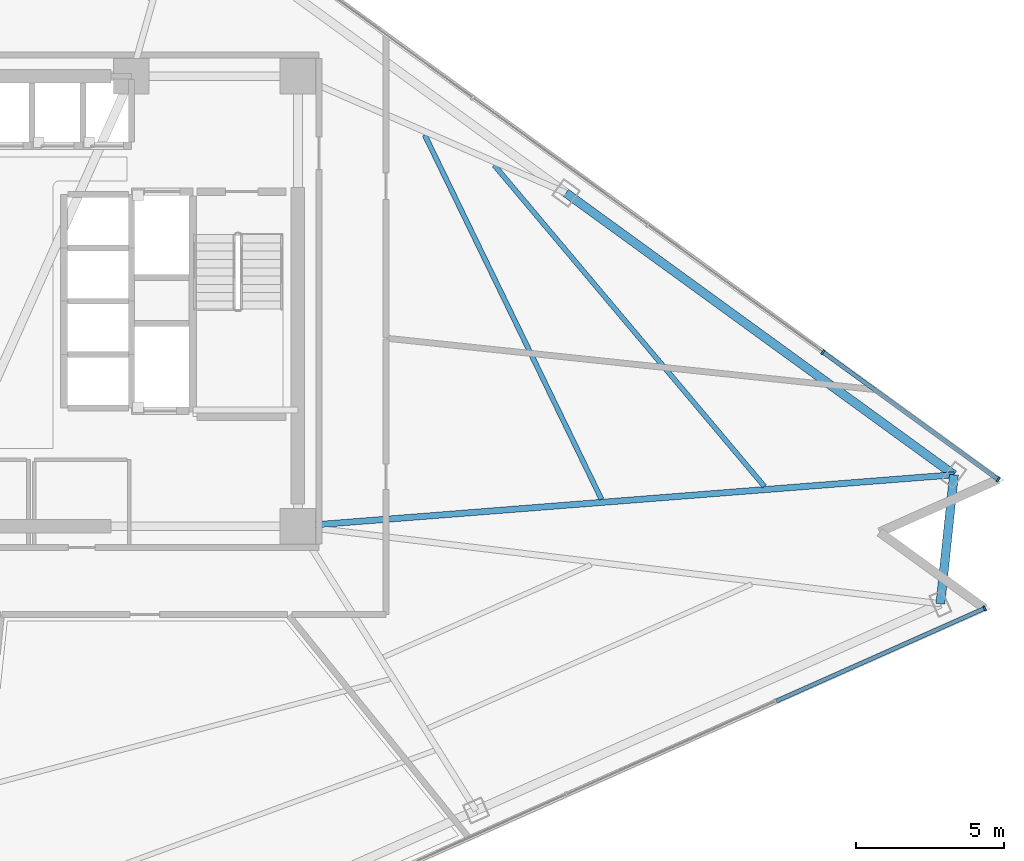
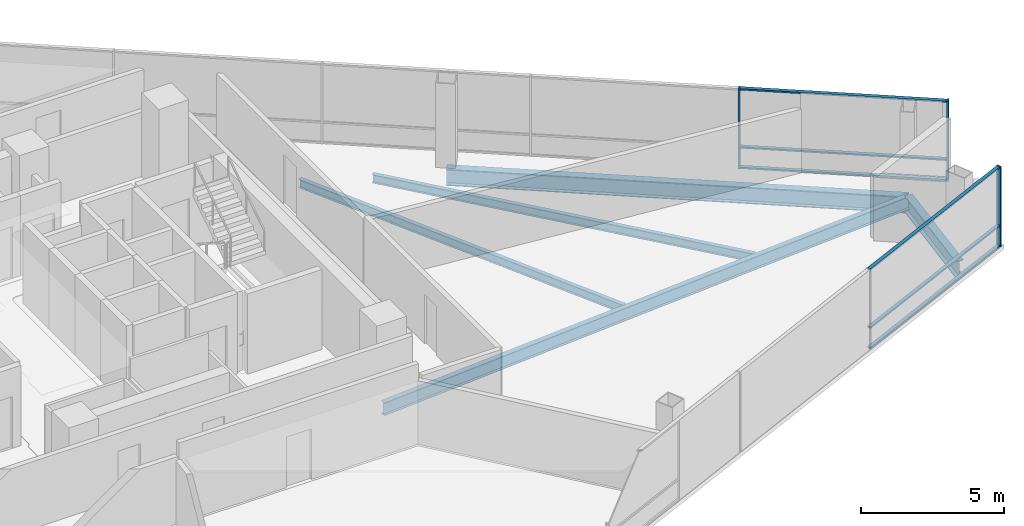
# One storey, part 6 of 17: 9 members, 5 beams, 2 elements without a shape of their own.
"""IFC4 building model written with IfcOpenShell, lengths in metres."""

from ifc_helpers import new_model, si_unit, direction, frame, origin, origin_2d, place, context, subcontext, project, spatial, rectangle, i_section, extrude, material, layer, layer_set, material_profile, profile_set, type_object, element, aggregate, save


model = new_model("IFC4")

# Units and contexts
model_context = context("Model", 3, precision=1e-05, world=origin(), true_north=direction((0.0, 1.0)))
body_context = subcontext(model_context, "Body", "Model", "MODEL_VIEW")
ifc_project = project(units=[si_unit("LENGTHUNIT", "METRE"), si_unit("AREAUNIT", "SQUARE_METRE"), si_unit("VOLUMEUNIT", "CUBIC_METRE"), si_unit("PLANEANGLEUNIT", "RADIAN"), si_unit("MASSUNIT", "GRAM", prefix="KILO")], contexts=[model_context])

# Site, building, storey
site_placement = place(None, origin())
site = spatial("IfcSite", under=ifc_project, at=site_placement, CompositionType="ELEMENT")
building_placement = place(site_placement, origin())
building = spatial("IfcBuilding", under=site, at=building_placement, Name="Tharavind Bronze Gate", CompositionType="ELEMENT")
storey_placement = place(building_placement, frame((0.0, 0.0, 119.64990234375)))
storey = spatial("IfcBuildingStorey", under=building, at=storey_placement, Name="L30", CompositionType="ELEMENT", Elevation=119.64990234375)

# Curtain wall, member
ifc_material_1 = material(Name="Anodised Bronze Aluminium", Category="aluminium")
ifc_layer = layer(ifc_material_1, 0.219970703125)
ifc_layer_set = layer_set([ifc_layer], Name="Anodised Bronze Aluminium")
curtain_wall_type = type_object("IfcCurtainWallType", Name="UNITISED CURTAIN WALL LOWER OFFICE", PredefinedType="USERDEFINED", material=ifc_layer_set)
curtain_wall_1_placement = place(storey_placement, origin())
curtain_wall_1 = element("IfcCurtainWall", 1, at=curtain_wall_1_placement, inside=storey, type_object=curtain_wall_type, Name="L30 unitised curtain wall lower office CW-L30-S2", ObjectType="UNITISED CURTAIN WALL", PredefinedType="USERDEFINED")
member_type_1 = type_object("IfcMemberType", Name="CURTAIN WALL BRONZE MULLION 65X180", PredefinedType="MULLION", material=ifc_material_1)
member_1_placement = place(storey_placement, frame((32.099853515625, -10.3759765625, 0.0), z_axis=(0.0, 0.0, 1.0), x_axis=(0.913545457643, 0.406736643076, 0.0)))
member_1 = element("IfcMember", 2, at=member_1_placement, type_object=member_type_1, Name="CW-L30-S2 mullion 8", PredefinedType="MULLION", context=body_context, shape_type="SweptSolid", body=[
    extrude(rectangle(XDim=0.06494140625, YDim=0.179931640625, at=origin_2d()), origin(), (0.0, 0.0, 1.0), 3.409912109375),
])

# Curtain wall, members
curtain_wall_2_placement = place(storey_placement, origin())
curtain_wall_2 = element("IfcCurtainWall", 3, at=curtain_wall_2_placement, inside=storey, type_object=curtain_wall_type, Name="L30 unitised curtain wall lower office CW-L30-S3", ObjectType="UNITISED CURTAIN WALL", PredefinedType="USERDEFINED")
member_2_placement = place(storey_placement, frame((32.5576171875, -6.02001953125, 0.0), z_axis=(0.0, 0.0, 1.0), x_axis=(-0.809016994375, 0.587785252292, 0.0)))
member_2 = element("IfcMember", 4, at=member_2_placement, type_object=member_type_1, Name="CW-L30-S3 mullion 1", PredefinedType="MULLION", context=body_context, shape_type="SweptSolid", body=[
    extrude(rectangle(XDim=0.06494140625, YDim=0.179931640625, at=origin_2d()), origin(), (0.0, 0.0, 1.0), 3.409912109375),
])
member_3_placement = place(storey_placement, frame((26.64111328125, -1.72119140625, 0.0), z_axis=(0.0, 0.0, 1.0), x_axis=(-0.809016994375, 0.587785252292, 0.0)))
member_3 = element("IfcMember", 5, at=member_3_placement, type_object=member_type_1, Name="CW-L30-S3 mullion 2", PredefinedType="MULLION", context=body_context, shape_type="SweptSolid", body=[
    extrude(rectangle(XDim=0.06494140625, YDim=0.179931640625, at=origin_2d()), origin(), (0.0, 0.0, 1.0), 3.409912109375),
])

# Member
member_type_2 = type_object("IfcMemberType", Name="CURTAIN WALL BRONZE TRANSOM 65X140", PredefinedType="USERDEFINED", material=ifc_material_1)
member_4_placement = place(storey_placement, frame((28.568603515625, -11.947998046875, 0.000244140625), z_axis=(0.0, 0.0, 1.0), x_axis=(0.913545457643, 0.406736643076, 0.0)))
member_4 = element("IfcMember", 6, at=member_4_placement, type_object=member_type_2, Name="CW-L30-S2 transom TB7", ObjectType="TRANSOM", PredefinedType="USERDEFINED", context=body_context, shape_type="SweptSolid", body=[
    extrude(rectangle(XDim=7.677490234375, YDim=0.139892578125, at=origin_2d()), origin(), (0.0, 0.0, 1.0), 0.06494140625),
])

member_5_placement = place(storey_placement, frame((28.568603515625, -11.947998046875, 0.86767578125), z_axis=(0.0, 0.0, 1.0), x_axis=(0.913545457643, 0.406736643076, 0.0)))
member_5 = element("IfcMember", 7, at=member_5_placement, type_object=member_type_2, Name="CW-L30-S2 transom TS7", ObjectType="TRANSOM", PredefinedType="USERDEFINED", context=body_context, shape_type="SweptSolid", body=[
    extrude(rectangle(XDim=7.677490234375, YDim=0.139892578125, at=origin_2d()), origin(), (0.0, 0.0, 1.0), 0.06494140625),
])

member_6_placement = place(storey_placement, frame((28.568603515625, -11.947998046875, 3.34521484375), z_axis=(0.0, 0.0, 1.0), x_axis=(0.913545457643, 0.406736643076, 0.0)))
member_6 = element("IfcMember", 8, at=member_6_placement, type_object=member_type_2, Name="CW-L30-S2 transom TT7", ObjectType="TRANSOM", PredefinedType="USERDEFINED", context=body_context, shape_type="SweptSolid", body=[
    extrude(rectangle(XDim=7.677490234375, YDim=0.139892578125, at=origin_2d()), origin(), (0.0, 0.0, 1.0), 0.06494140625),
])

aggregate(curtain_wall_1, [member_1, member_4, member_5, member_6])

member_7_placement = place(storey_placement, frame((29.599365234375, -3.87060546875, 0.000244140625), z_axis=(0.0, 0.0, 1.0), x_axis=(-0.809016994375, 0.587785252292, 0.0)))
member_7 = element("IfcMember", 9, at=member_7_placement, type_object=member_type_2, Name="CW-L30-S3 transom TB1", ObjectType="TRANSOM", PredefinedType="USERDEFINED", context=body_context, shape_type="SweptSolid", body=[
    extrude(rectangle(XDim=7.260498046875, YDim=0.139892578125, at=origin_2d()), origin(), (0.0, 0.0, 1.0), 0.06494140625),
])

member_8_placement = place(storey_placement, frame((29.599365234375, -3.87060546875, 0.86767578125), z_axis=(0.0, 0.0, 1.0), x_axis=(-0.809016994375, 0.587785252292, 0.0)))
member_8 = element("IfcMember", 10, at=member_8_placement, type_object=member_type_2, Name="CW-L30-S3 transom TS1", ObjectType="TRANSOM", PredefinedType="USERDEFINED", context=body_context, shape_type="SweptSolid", body=[
    extrude(rectangle(XDim=7.260498046875, YDim=0.139892578125, at=origin_2d()), origin(), (0.0, 0.0, 1.0), 0.06494140625),
])

member_9_placement = place(storey_placement, frame((29.599365234375, -3.87060546875, 3.34521484375), z_axis=(0.0, 0.0, 1.0), x_axis=(-0.809016994375, 0.587785252292, 0.0)))
member_9 = element("IfcMember", 11, at=member_9_placement, type_object=member_type_2, Name="CW-L30-S3 transom TT1", ObjectType="TRANSOM", PredefinedType="USERDEFINED", context=body_context, shape_type="SweptSolid", body=[
    extrude(rectangle(XDim=7.260498046875, YDim=0.139892578125, at=origin_2d()), origin(), (0.0, 0.0, 1.0), 0.06494140625),
])

aggregate(curtain_wall_2, [member_2, member_3, member_7, member_8, member_9])

# Beams
ifc_material_2 = material(Name="Steel S355", Category="steel")
ifc_material_profile_1 = material_profile(ifc_material_2, i_section(OverallWidth=0.2099609375, OverallDepth=0.550048828125, WebThickness=0.010986328125, FlangeThickness=0.01708984375, at=origin_2d()), Name="IPE550")
ifc_profile_set_1 = profile_set([ifc_material_profile_1], Name="Steel S355")
beam_type_1 = type_object("IfcBeamType", Name="PRIMARY GIRDER IPE550", PredefinedType="USERDEFINED", material=ifc_profile_set_1)
beam_1_placement = place(storey_placement, frame((31.06591796875, -5.863037109375, -0.46484375), z_axis=(-0.996943461066, -0.078126406792, 0.0), x_axis=(0.078126406792, -0.996943461066, 0.0)))
element("IfcBeam", 12, at=beam_1_placement, inside=storey, type_object=beam_type_1, Name="L30 primary girder ipe550 BM-L30-RAD09", ObjectType="GIRDER", PredefinedType="USERDEFINED", context=body_context, shape_type="SweptSolid", body=[
    extrude(i_section(OverallWidth=0.2099609375, OverallDepth=0.550048828125, WebThickness=0.010986328125, FlangeThickness=0.01708984375, at=origin_2d()), origin(), (0.0, 0.0, 1.0), 22.23388671875),
])
ifc_material_profile_2 = material_profile(ifc_material_2, i_section(OverallWidth=0.300048828125, OverallDepth=0.699951171875, WebThickness=0.01708984375, FlangeThickness=0.031982421875, at=origin_2d()), Name="HE700B")
ifc_profile_set_2 = profile_set([ifc_material_profile_2], Name="Steel S355")
beam_type_2 = type_object("IfcBeamType", Name="RING GIRDER HE700B", PredefinedType="USERDEFINED", material=ifc_profile_set_2)
beam_2_placement = place(storey_placement, frame((30.60791015625, -10.218994140625, -0.539794921875), z_axis=(0.1045687219, 0.994517663192, 0.0), x_axis=(-0.994517663192, 0.1045687219, 0.0)))
element("IfcBeam", 13, at=beam_2_placement, inside=storey, type_object=beam_type_2, Name="L30 ring girder he700b BM-L30-PRG08", ObjectType="GIRDER", PredefinedType="USERDEFINED", context=body_context, shape_type="SweptSolid", body=[
    extrude(i_section(OverallWidth=0.300048828125, OverallDepth=0.699951171875, WebThickness=0.01708984375, FlangeThickness=0.031982421875, at=origin_2d()), origin(), (0.0, 0.0, 1.0), 4.3798828125),
])
beam_3_placement = place(storey_placement, frame((31.06591796875, -5.863037109375, -0.539794921875), z_axis=(-0.809014294341, 0.587788968553, 0.0), x_axis=(-0.587788968553, -0.809014294341, 0.0)))
element("IfcBeam", 14, at=beam_3_placement, inside=storey, type_object=beam_type_2, Name="L30 ring girder he700b BM-L30-PRG09", ObjectType="GIRDER", PredefinedType="USERDEFINED", context=body_context, shape_type="SweptSolid", body=[
    extrude(i_section(OverallWidth=0.300048828125, OverallDepth=0.699951171875, WebThickness=0.01708984375, FlangeThickness=0.031982421875, at=origin_2d()), origin(), (0.0, 0.0, 1.0), 16.198486328125),
])
ifc_material_profile_3 = material_profile(ifc_material_2, i_section(OverallWidth=0.169921875, OverallDepth=0.360107421875, WebThickness=0.008056640625, FlangeThickness=0.0126953125, at=origin_2d()), Name="IPE360")
ifc_profile_set_3 = profile_set([ifc_material_profile_3], Name="Steel S355")
beam_type_3 = type_object("IfcBeamType", Name="SECONDARY FLOOR JOIST IPE360", PredefinedType="JOIST", material=ifc_profile_set_3)
beam_4_placement = place(storey_placement, frame((19.15625, -6.687255859375, -0.369873046875), z_axis=(-0.436529248779, 0.899690066056, 0.0), x_axis=(-0.899690066056, -0.436529248779, 0.0)))
element("IfcBeam", 15, at=beam_4_placement, inside=storey, type_object=beam_type_3, Name="L30 secondary floor joist ipe360 BM-L30-JSTA09", PredefinedType="JOIST", context=body_context, shape_type="SweptSolid", body=[
    extrude(i_section(OverallWidth=0.169921875, OverallDepth=0.360107421875, WebThickness=0.008056640625, FlangeThickness=0.0126953125, at=origin_2d()), origin(), (0.0, 0.0, 1.0), 13.677734375),
])
beam_5_placement = place(storey_placement, frame((24.662841796875, -6.256103515625, -0.369873046875), z_axis=(-0.643699388619, 0.765278444157, 0.0), x_axis=(-0.765278444157, -0.643699388619, 0.0)))
element("IfcBeam", 16, at=beam_5_placement, inside=storey, type_object=beam_type_3, Name="L30 secondary floor joist ipe360 BM-L30-JSTB09", PredefinedType="JOIST", context=body_context, shape_type="SweptSolid", body=[
    extrude(i_section(OverallWidth=0.169921875, OverallDepth=0.360107421875, WebThickness=0.008056640625, FlangeThickness=0.0126953125, at=origin_2d()), origin(), (0.0, 0.0, 1.0), 14.18310546875),
])

save(model, "model.ifc")
